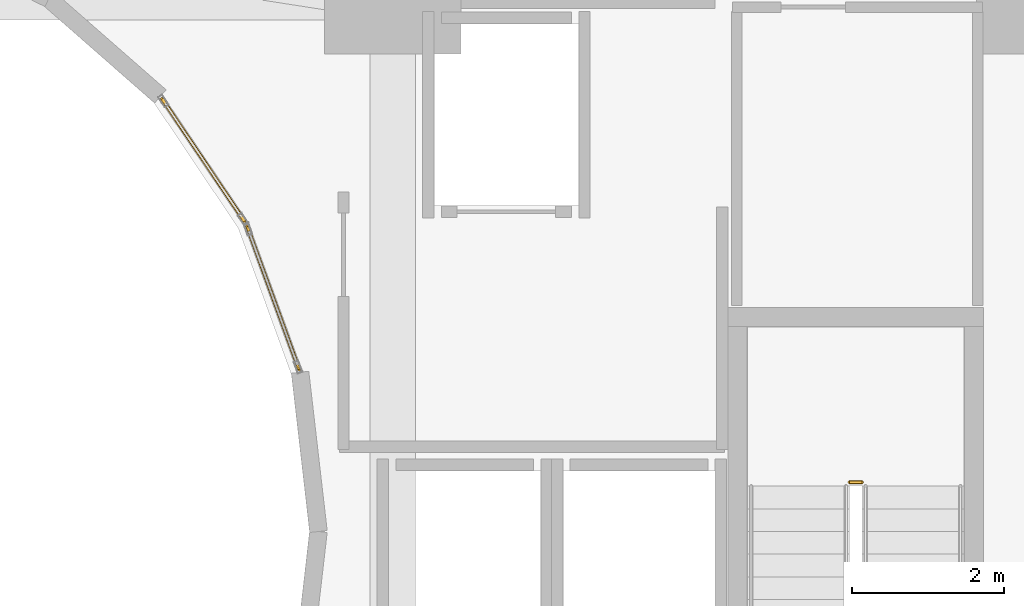
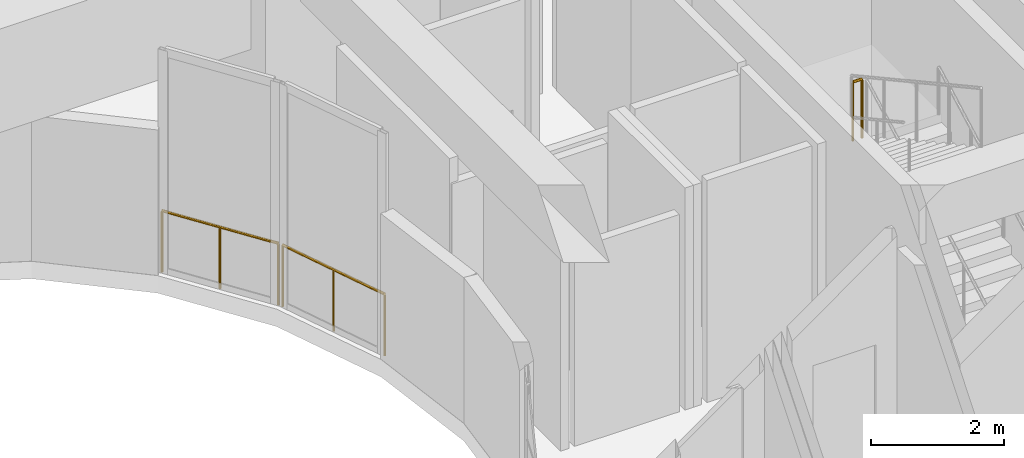
# One storey, part 25 of 27: 3 railings.
"""IFC4 building model written with IfcOpenShell, lengths in metres."""

from ifc_helpers import new_model, si_unit, direction, frame, origin, origin_2d, place, context, subcontext, project, spatial, circle, extrude, material, type_object, element, save


model = new_model("IFC4")

# Units and contexts
model_context = context("Model", 3, precision=1e-05, world=origin(), true_north=direction((0.0, 1.0)))
body_context = subcontext(model_context, "Body", "Model", "MODEL_VIEW")
ifc_project = project(units=[si_unit("LENGTHUNIT", "METRE"), si_unit("AREAUNIT", "SQUARE_METRE"), si_unit("VOLUMEUNIT", "CUBIC_METRE"), si_unit("PLANEANGLEUNIT", "RADIAN"), si_unit("MASSUNIT", "GRAM", prefix="KILO")], contexts=[model_context])

# Site, building, storey
site_placement = place(None, origin())
site = spatial("IfcSite", under=ifc_project, at=site_placement, CompositionType="ELEMENT")
building_placement = place(site_placement, origin())
building = spatial("IfcBuilding", under=site, at=building_placement, Name="Solvane Sanctuary Tower", CompositionType="ELEMENT")
storey_placement = place(building_placement, frame((0.0, 0.0, 23.0)))
storey = spatial("IfcBuildingStorey", under=building, at=storey_placement, Name="L06", CompositionType="ELEMENT", Elevation=23.0)

# Railings
ifc_material = material(Name="Architectural Stainless Steel 316", Category="steel")
railing_type_1 = type_object("IfcRailingType", Name="Railing GR-BALC-1150", PredefinedType="BALUSTRADE", material=ifc_material)
railing_1_placement = place(storey_placement, frame((46.2900390625, 23.64990234375, 2.300048828125)))
element("IfcRailing", 1, at=railing_1_placement, inside=storey, type_object=railing_type_1, Name="L06 ST-2 stair guard 2", PredefinedType="BALUSTRADE", context=body_context, shape_type="SweptSolid", body=[
    extrude(circle(Radius=0.02392578125, at=origin_2d()), frame((0.0, 0.0, 1.076171875), z_axis=(-1.0, 0.0, 0.0), x_axis=(0.0, -1.0, 0.0)), (0.0, 0.0, 1.0), 0.16015625),
    extrude(circle(Radius=0.02099609375, at=origin_2d()), origin(), (0.0, 0.0, 1.0), 1.052001953125),
    extrude(circle(Radius=0.02099609375, at=origin_2d()), frame((-0.16015625, 0.0, 0.0)), (0.0, 0.0, 1.0), 1.052001953125),
])
railing_type_2 = type_object("IfcRailingType", Name="Railing GR-WELL-1150", PredefinedType="GUARDRAIL", material=ifc_material)
railing_2_placement = place(storey_placement, frame((38.86376953125, 25.13916015625, 0.0)))
element("IfcRailing", 2, at=railing_2_placement, inside=storey, type_object=railing_type_2, Name="L06 Light-Well Sill Guard 01", PredefinedType="GUARDRAIL", context=body_context, shape_type="SweptSolid", body=[
    extrude(circle(Radius=0.02392578125, at=origin_2d()), frame((0.0, 0.0, 1.1259765625), z_axis=(-0.341410413021, 0.9399143205, 0.0), x_axis=(-0.9399143205, -0.341410413021, 0.0)), (0.0, 0.0, 1.0), 2.003662109375),
    extrude(circle(Radius=0.02099609375, at=origin_2d()), origin(), (0.0, 0.0, 1.0), 1.101806640625),
    extrude(circle(Radius=0.02099609375, at=origin_2d()), frame((-0.342041015625, 0.941650390625, 0.0)), (0.0, 0.0, 1.0), 1.101806640625),
    extrude(circle(Radius=0.02099609375, at=origin_2d()), frame((-0.68408203125, 1.88330078125, 0.0)), (0.0, 0.0, 1.0), 1.101806640625),
])
railing_3_placement = place(storey_placement, frame((38.143798828125, 27.09326171875, 0.0)))
element("IfcRailing", 3, at=railing_3_placement, inside=storey, type_object=railing_type_2, Name="L06 Light-Well Sill Guard 02", PredefinedType="GUARDRAIL", context=body_context, shape_type="SweptSolid", body=[
    extrude(circle(Radius=0.02392578125, at=origin_2d()), frame((0.0, 0.0, 1.1259765625), z_axis=(-0.558283423748, 0.829650299083, 0.0), x_axis=(-0.829650299083, -0.558283423748, 0.0)), (0.0, 0.0, 1.0), 1.94677734375),
    extrude(circle(Radius=0.02099609375, at=origin_2d()), origin(), (0.0, 0.0, 1.0), 1.101806640625),
    extrude(circle(Radius=0.02099609375, at=origin_2d()), frame((-0.54345703125, 0.8076171875, 0.0)), (0.0, 0.0, 1.0), 1.101806640625),
    extrude(circle(Radius=0.02099609375, at=origin_2d()), frame((-1.0869140625, 1.615234375, 0.0)), (0.0, 0.0, 1.0), 1.101806640625),
])

save(model, "model.ifc")
